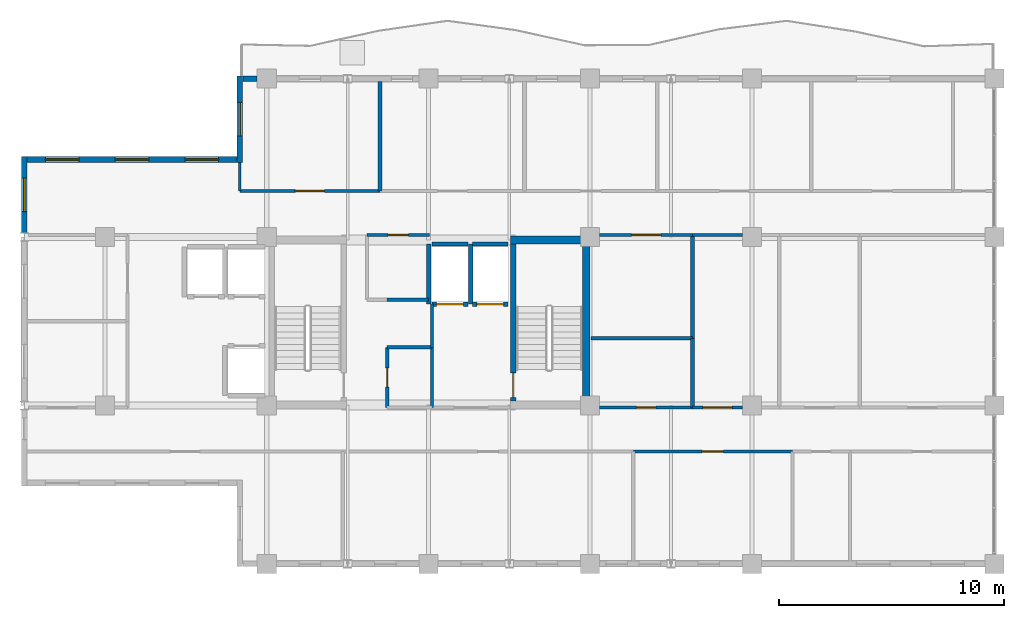
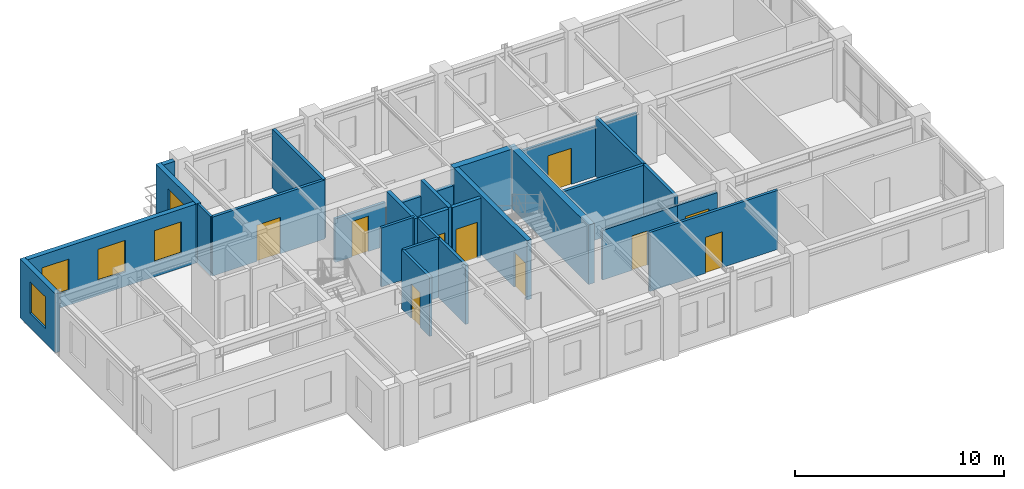
# One storey, part 7 of 10: 30 walls, 10 doors, 5 windows, 15 openings.
"""IFC4 building model written with IfcOpenShell, lengths in metres."""

from ifc_helpers import new_model, si_unit, direction, frame, frame_2d, origin, place, context, subcontext, project, spatial, rectangle, extrude, material, layer, layer_set, type_object, element, fill, save


model = new_model("IFC4")

# Units and contexts
model_context = context("Model", 3, precision=1e-05, world=origin(), true_north=direction((0.0, 1.0)))
body_context = subcontext(model_context, "Body", "Model", "MODEL_VIEW")
ifc_project = project(units=[si_unit("LENGTHUNIT", "METRE"), si_unit("AREAUNIT", "SQUARE_METRE"), si_unit("VOLUMEUNIT", "CUBIC_METRE"), si_unit("PLANEANGLEUNIT", "RADIAN"), si_unit("MASSUNIT", "GRAM", prefix="KILO")], contexts=[model_context])

# Site, building, storey
site_placement = place(None, origin())
site = spatial("IfcSite", under=ifc_project, at=site_placement, CompositionType="ELEMENT")
building_placement = place(site_placement, origin())
building = spatial("IfcBuilding", under=site, at=building_placement, Name="Kaliganga Portal Commons", CompositionType="ELEMENT")
storey_placement = place(building_placement, frame((0.0, 0.0, 290.60009765625)))
storey = spatial("IfcBuildingStorey", under=building, at=storey_placement, Name="L75", CompositionType="ELEMENT", Elevation=290.60009765625)

# Walls
ifc_material_1 = material(Name="Concrete C50/60", Category="concrete")
ifc_layer_1 = layer(ifc_material_1, 0.35009765625)
ifc_layer_set_1 = layer_set([ifc_layer_1], Name="Concrete C50/60")
wall_type_1 = type_object("IfcWallType", Name="WL-CORE-350", PredefinedType="SHEAR", material=ifc_layer_set_1)
wall_1_placement = place(storey_placement, frame((28.625, 28.5, 0.0), z_axis=(0.0, 0.0, 1.0), x_axis=(0.0, 1.0, 0.0)))
element("IfcWall", 1, at=wall_1_placement, inside=storey, type_object=wall_type_1, Name="Core A East Shear Wall L75", PredefinedType="SHEAR", context=body_context, shape_type="SweptSolid", body=[
    extrude(rectangle(XDim=7.699951171875, YDim=0.35009765625, at=frame_2d((3.85009765625, 0.0))), origin(), (0.0, 0.0, 1.0), 3.474853515625),
])
wall_2_placement = place(storey_placement, frame((25.25, 36.02490234375, 0.0), z_axis=(0.0, 0.0, 1.0), x_axis=(1.0, 0.0, 0.0)))
element("IfcWall", 2, at=wall_2_placement, inside=storey, type_object=wall_type_1, Name="Core A N-East Shear Wall L75", PredefinedType="SHEAR", context=body_context, shape_type="SweptSolid", body=[
    extrude(rectangle(XDim=3.199951171875, YDim=0.35009765625, at=frame_2d((1.60009765625, 0.0))), origin(), (0.0, 0.0, 1.0), 3.474853515625),
])
ifc_material_2 = material(Name="Insulated Aluminium-Clad Spandrel Assembly", Category="aluminium")
ifc_layer_2 = layer(ifc_material_2, 0.260009765625)
ifc_layer_set_2 = layer_set([ifc_layer_2], Name="Insulated Aluminium-Clad Spandrel Assembly")
wall_type_2 = type_object("IfcWallType", Name="WL-EXT-SPAND-260", PredefinedType="STANDARD", material=ifc_layer_set_2)
wall_3_placement = place(storey_placement, frame((13.3349609375, 43.199951171875, 0.0), z_axis=(0.0, 0.0, 1.0), x_axis=(1.0, 0.0, 0.0)))
element("IfcWall", 3, at=wall_3_placement, inside=storey, type_object=wall_type_2, Name="Exterior Envelope Wall L75 P1-E02-S8", PredefinedType="STANDARD", context=body_context, shape_type="SweptSolid", body=[
    extrude(rectangle(XDim=0.63916015625, YDim=0.260009765625, at=frame_2d((0.319580078125, 0.0))), origin(), (0.0, 0.0, 1.0), 3.454833984375),
])

# Wall, opening, window
wall_4_placement = place(storey_placement, frame((13.199951171875, 39.469970703125, 0.0), z_axis=(0.0, 0.0, 1.0), x_axis=(0.0, 1.0, 0.0)))
wall_4 = element("IfcWall", 4, at=wall_4_placement, inside=storey, type_object=wall_type_2, Name="Exterior Envelope Wall L75 P1-E03-S1", PredefinedType="STANDARD", context=body_context, shape_type="SweptSolid", body=[
    extrude(rectangle(XDim=3.860107421875, YDim=0.260009765625, at=frame_2d((1.93017578125, 0.0))), origin(), (0.0, 0.0, 1.0), 3.454833984375),
])
opening_1_placement = place(wall_4_placement, frame((1.179931640625, 0.0, 0.85009765625)))
opening_1 = element("IfcOpeningElement", 5, at=opening_1_placement, cuts=wall_4, Name="Opening W-02", PredefinedType="OPENING", context=body_context, shape_type="SweptSolid", body=[
    extrude(rectangle(XDim=1.5, YDim=1.85009765625, at=frame_2d((0.75, 0.925048828125))), frame((0.0, 0.14013671875, 0.0), z_axis=(0.0, -1.0, 0.0), x_axis=(1.0, 0.0, 0.0)), (0.0, 0.0, 1.0), 0.280029296875),
])
ifc_material_3 = material(Name="Thermally Broken Aluminium and Low-E Double Glazing", Category="aluminium")
window_type = type_object("IfcWindowType", Name="WIN-STD-1500", PartitioningType="DOUBLE_PANEL_VERTICAL", PredefinedType="WINDOW", material=ifc_material_3)
window_1_placement = place(opening_1_placement, origin())
window_1 = element("IfcWindow", 6, at=window_1_placement, inside=storey, type_object=window_type, Name="Facade Window L75-P1E03S1-00", OverallHeight=1.85009765625, OverallWidth=1.5, PartitioningType="SINGLE_PANEL", PredefinedType="WINDOW", context=body_context, shape_type="SweptSolid", body=[
    extrude(rectangle(XDim=1.5, YDim=1.85009765625, at=frame_2d((0.75, 0.925048828125))), frame((0.0, 0.030029296875, 0.0), z_axis=(0.0, -1.0, 0.0), x_axis=(1.0, 0.0, 0.0)), (0.0, 0.0, 1.0), 0.06005859375),
])
fill(opening_1, window_1)

# Wall, openings, windows
wall_5_placement = place(storey_placement, frame((3.735107421875, 39.60009765625, 0.0), z_axis=(0.0, 0.0, 1.0), x_axis=(1.0, 0.0, 0.0)))
wall_5 = element("IfcWall", 7, at=wall_5_placement, inside=storey, type_object=wall_type_2, Name="Exterior Envelope Wall L75 P1-E04-S1", PredefinedType="STANDARD", context=body_context, shape_type="SweptSolid", body=[
    extrude(rectangle(XDim=9.329833984375, YDim=0.260009765625, at=frame_2d((4.6650390625, 0.0))), origin(), (0.0, 0.0, 1.0), 3.454833984375),
])
opening_2_placement = place(wall_5_placement, frame((0.804931640625, 0.0, 0.85009765625)))
opening_2 = element("IfcOpeningElement", 8, at=opening_2_placement, cuts=wall_5, Name="Opening W-02", PredefinedType="OPENING", context=body_context, shape_type="SweptSolid", body=[
    extrude(rectangle(XDim=1.5, YDim=1.85009765625, at=frame_2d((0.75, 0.925048828125))), frame((0.0, 0.14013671875, 0.0), z_axis=(0.0, -1.0, 0.0), x_axis=(1.0, 0.0, 0.0)), (0.0, 0.0, 1.0), 0.280029296875),
])
opening_3_placement = place(wall_5_placement, frame((3.9150390625, 0.0, 0.85009765625)))
opening_3 = element("IfcOpeningElement", 9, at=opening_3_placement, cuts=wall_5, Name="Opening W-02", PredefinedType="OPENING", context=body_context, shape_type="SweptSolid", body=[
    extrude(rectangle(XDim=1.5, YDim=1.85009765625, at=frame_2d((0.75, 0.925048828125))), frame((0.0, 0.14013671875, 0.0), z_axis=(0.0, -1.0, 0.0), x_axis=(1.0, 0.0, 0.0)), (0.0, 0.0, 1.0), 0.280029296875),
])
opening_4_placement = place(wall_5_placement, frame((7.02490234375, 0.0, 0.85009765625)))
opening_4 = element("IfcOpeningElement", 10, at=opening_4_placement, cuts=wall_5, Name="Opening W-02", PredefinedType="OPENING", context=body_context, shape_type="SweptSolid", body=[
    extrude(rectangle(XDim=1.5, YDim=1.85009765625, at=frame_2d((0.75, 0.925048828125))), frame((0.0, 0.14013671875, 0.0), z_axis=(0.0, -1.0, 0.0), x_axis=(1.0, 0.0, 0.0)), (0.0, 0.0, 1.0), 0.280029296875),
])
window_2_placement = place(opening_2_placement, origin())
window_2 = element("IfcWindow", 11, at=window_2_placement, inside=storey, type_object=window_type, Name="Facade Window L75-P1E04S1-00", OverallHeight=1.85009765625, OverallWidth=1.5, PartitioningType="SINGLE_PANEL", PredefinedType="WINDOW", context=body_context, shape_type="SweptSolid", body=[
    extrude(rectangle(XDim=1.5, YDim=1.85009765625, at=frame_2d((0.75, 0.925048828125))), frame((0.0, 0.030029296875, 0.0), z_axis=(0.0, -1.0, 0.0), x_axis=(1.0, 0.0, 0.0)), (0.0, 0.0, 1.0), 0.06005859375),
])
fill(opening_2, window_2)
window_3_placement = place(opening_3_placement, origin())
window_3 = element("IfcWindow", 12, at=window_3_placement, inside=storey, type_object=window_type, Name="Facade Window L75-P1E04S1-01", OverallHeight=1.85009765625, OverallWidth=1.5, PartitioningType="SINGLE_PANEL", PredefinedType="WINDOW", context=body_context, shape_type="SweptSolid", body=[
    extrude(rectangle(XDim=1.5, YDim=1.85009765625, at=frame_2d((0.75, 0.925048828125))), frame((0.0, 0.030029296875, 0.0), z_axis=(0.0, -1.0, 0.0), x_axis=(1.0, 0.0, 0.0)), (0.0, 0.0, 1.0), 0.06005859375),
])
fill(opening_3, window_3)
window_4_placement = place(opening_4_placement, origin())
window_4 = element("IfcWindow", 13, at=window_4_placement, inside=storey, type_object=window_type, Name="Facade Window L75-P1E04S1-02", OverallHeight=1.85009765625, OverallWidth=1.5, PartitioningType="SINGLE_PANEL", PredefinedType="WINDOW", context=body_context, shape_type="SweptSolid", body=[
    extrude(rectangle(XDim=1.5, YDim=1.85009765625, at=frame_2d((0.75, 0.925048828125))), frame((0.0, 0.030029296875, 0.0), z_axis=(0.0, -1.0, 0.0), x_axis=(1.0, 0.0, 0.0)), (0.0, 0.0, 1.0), 0.06005859375),
])
fill(opening_4, window_4)

# Wall, opening, window
wall_6_placement = place(storey_placement, frame((3.60009765625, 36.3369140625, 0.0), z_axis=(0.0, 0.0, 1.0), x_axis=(0.0, 1.0, 0.0)))
wall_6 = element("IfcWall", 14, at=wall_6_placement, inside=storey, type_object=wall_type_2, Name="Exterior Envelope Wall L75 P1-E05-S1", PredefinedType="STANDARD", context=body_context, shape_type="SweptSolid", body=[
    extrude(rectangle(XDim=3.39306640625, YDim=0.260009765625, at=frame_2d((1.696533203125, 0.0))), origin(), (0.0, 0.0, 1.0), 3.454833984375),
])
opening_5_placement = place(wall_6_placement, frame((0.946533203125, 0.0, 0.85009765625)))
opening_5 = element("IfcOpeningElement", 15, at=opening_5_placement, cuts=wall_6, Name="Opening W-02", PredefinedType="OPENING", context=body_context, shape_type="SweptSolid", body=[
    extrude(rectangle(XDim=1.5, YDim=1.85009765625, at=frame_2d((0.75, 0.925048828125))), frame((0.0, 0.14013671875, 0.0), z_axis=(0.0, -1.0, 0.0), x_axis=(1.0, 0.0, 0.0)), (0.0, 0.0, 1.0), 0.280029296875),
])
window_5_placement = place(opening_5_placement, origin())
window_5 = element("IfcWindow", 16, at=window_5_placement, inside=storey, type_object=window_type, Name="Facade Window L75-P1E05S1-00", OverallHeight=1.85009765625, OverallWidth=1.5, PartitioningType="SINGLE_PANEL", PredefinedType="WINDOW", context=body_context, shape_type="SweptSolid", body=[
    extrude(rectangle(XDim=1.5, YDim=1.85009765625, at=frame_2d((0.75, 0.925048828125))), frame((0.0, 0.030029296875, 0.0), z_axis=(0.0, -1.0, 0.0), x_axis=(1.0, 0.0, 0.0)), (0.0, 0.0, 1.0), 0.06005859375),
])
fill(opening_5, window_5)

# Wall, opening, door
ifc_material_4 = material(Name="Fire-Rated Gypsum Board on Steel Stud", Category="steel")
ifc_layer_3 = layer(ifc_material_4, 0.14990234375)
ifc_layer_set_3 = layer_set([ifc_layer_3], Name="Fire-Rated Gypsum Board on Steel Stud")
wall_type_3 = type_object("IfcWallType", Name="WL-PART-CORR-150", PredefinedType="PARTITIONING", material=ifc_layer_set_3)
wall_7_placement = place(storey_placement, frame((30.719970703125, 26.60009765625, 0.0), z_axis=(0.0, 0.0, 1.0), x_axis=(1.0, 0.0, 0.0)))
wall_7 = element("IfcWall", 17, at=wall_7_placement, inside=storey, type_object=wall_type_3, Name="Interior Partition L75-003", PredefinedType="PARTITIONING", context=body_context, shape_type="SweptSolid", body=[
    extrude(rectangle(XDim=7.080078125, YDim=0.14990234375, at=frame_2d((3.5400390625, 0.0))), origin(), (0.0, 0.0, 1.0), 3.454833984375),
])
opening_6_placement = place(wall_7_placement, frame((3.06494140625, 0.0, 0.0)))
opening_6 = element("IfcOpeningElement", 18, at=opening_6_placement, cuts=wall_7, Name="Opening UD-01", PredefinedType="OPENING", context=body_context, shape_type="SweptSolid", body=[
    extrude(rectangle(XDim=0.949951171875, YDim=2.10009765625, at=frame_2d((0.47509765625, 1.050048828125))), frame((0.0, 0.0849609375, 0.0), z_axis=(0.0, -1.0, 0.0), x_axis=(1.0, 0.0, 0.0)), (0.0, 0.0, 1.0), 0.169921875),
])
ifc_material_5 = material(Name="Solid-Core Timber Acoustic Fire Door", Category="wood")
door_type_1 = type_object("IfcDoorType", Name="DR-UNIT-950", OperationType="NOTDEFINED", PredefinedType="DOOR", material=ifc_material_5)
door_1_placement = place(opening_6_placement, origin())
door_1 = element("IfcDoor", 19, at=door_1_placement, inside=storey, type_object=door_type_1, Name="Interior Door L75-AS03", OperationType="SINGLE_SWING_RIGHT", OverallHeight=2.10009765625, OverallWidth=0.949951171875, PredefinedType="DOOR", context=body_context, shape_type="SweptSolid", body=[
    extrude(rectangle(XDim=0.949951171875, YDim=2.10009765625, at=frame_2d((0.47509765625, 1.050048828125))), frame((0.0, 0.02490234375, 0.0), z_axis=(0.0, -1.0, 0.0), x_axis=(1.0, 0.0, 0.0)), (0.0, 0.0, 1.0), 0.050048828125),
])
fill(opening_6, door_1)

wall_8_placement = place(storey_placement, frame((13.199951171875, 38.199951171875, 0.0), z_axis=(0.0, 0.0, 1.0), x_axis=(1.0, 0.0, 0.0)))
wall_8 = element("IfcWall", 20, at=wall_8_placement, inside=storey, type_object=wall_type_3, Name="Interior Partition L75-008", PredefinedType="PARTITIONING", context=body_context, shape_type="SweptSolid", body=[
    extrude(rectangle(XDim=6.239990234375, YDim=0.14990234375, at=frame_2d((3.1201171875, 0.0))), origin(), (0.0, 0.0, 1.0), 3.454833984375),
])
opening_7_placement = place(wall_8_placement, frame((2.469970703125, 0.0, 0.0)))
opening_7 = element("IfcOpeningElement", 21, at=opening_7_placement, cuts=wall_8, Name="Opening RD-03", PredefinedType="OPENING", context=body_context, shape_type="SweptSolid", body=[
    extrude(rectangle(XDim=1.300048828125, YDim=2.1201171875, at=frame_2d((0.64990234375, 1.06005859375))), frame((0.0, 0.0849609375, 0.0), z_axis=(0.0, -1.0, 0.0), x_axis=(1.0, 0.0, 0.0)), (0.0, 0.0, 1.0), 0.169921875),
])
ifc_material_6 = material(Name="Glazed Timber Seminar Vision Door", Category="wood")
door_type_2 = type_object("IfcDoorType", Name="DR-STUDY-1300", OperationType="DOUBLE_DOOR_SINGLE_SWING", PredefinedType="DOOR", material=ifc_material_6)
door_2_placement = place(opening_7_placement, origin())
door_2 = element("IfcDoor", 22, at=door_2_placement, inside=storey, type_object=door_type_2, Name="Interior Door L75-AN01", OperationType="DOUBLE_DOOR_SINGLE_SWING", OverallHeight=2.1201171875, OverallWidth=1.300048828125, PredefinedType="DOOR", context=body_context, shape_type="SweptSolid", body=[
    extrude(rectangle(XDim=1.300048828125, YDim=2.1201171875, at=frame_2d((0.64990234375, 1.06005859375))), frame((0.0, 0.02490234375, 0.0), z_axis=(0.0, -1.0, 0.0), x_axis=(1.0, 0.0, 0.0)), (0.0, 0.0, 1.0), 0.050048828125),
])
fill(opening_7, door_2)

wall_9_placement = place(storey_placement, frame((29.22509765625, 28.56005859375, 0.0), z_axis=(0.0, 0.0, 1.0), x_axis=(1.0, 0.0, 0.0)))
wall_9 = element("IfcWall", 23, at=wall_9_placement, inside=storey, type_object=wall_type_3, Name="Interior Partition L75-014", PredefinedType="PARTITIONING", context=body_context, shape_type="SweptSolid", body=[
    extrude(rectangle(XDim=4.135009765625, YDim=0.14990234375, at=frame_2d((2.0673828125, 0.0))), origin(), (0.0, 0.0, 1.0), 2.90478515625),
])
opening_8_placement = place(wall_9_placement, frame((1.637451171875, 0.0, 0.0)))
opening_8 = element("IfcOpeningElement", 24, at=opening_8_placement, cuts=wall_9, Name="Opening WD-02", PredefinedType="OPENING", context=body_context, shape_type="SweptSolid", body=[
    extrude(rectangle(XDim=0.860107421875, YDim=2.02001953125, at=frame_2d((0.43017578125, 1.010009765625))), frame((0.0, 0.0849609375, 0.0), z_axis=(0.0, -1.0, 0.0), x_axis=(1.0, 0.0, 0.0)), (0.0, 0.0, 1.0), 0.169921875),
])
ifc_material_7 = material(Name="Fire-Rated Utility Closet Door", Category="wood")
door_type_3 = type_object("IfcDoorType", Name="DR-STORE-800", OperationType="NOTDEFINED", PredefinedType="DOOR", material=ifc_material_7)
door_3_placement = place(opening_8_placement, origin())
door_3 = element("IfcDoor", 25, at=door_3_placement, inside=storey, type_object=door_type_3, Name="Interior Door L75-CSRV_A1", OperationType="SINGLE_SWING_LEFT", OverallHeight=2.02001953125, OverallWidth=0.860107421875, PredefinedType="DOOR", context=body_context, shape_type="SweptSolid", body=[
    extrude(rectangle(XDim=0.860107421875, YDim=2.02001953125, at=frame_2d((0.43017578125, 1.010009765625))), frame((0.0, 0.02490234375, 0.0), z_axis=(0.0, -1.0, 0.0), x_axis=(1.0, 0.0, 0.0)), (0.0, 0.0, 1.0), 0.050048828125),
])
fill(opening_8, door_3)

wall_10_placement = place(storey_placement, frame((29.22509765625, 36.239990234375, 0.0), z_axis=(0.0, 0.0, 1.0), x_axis=(1.0, 0.0, 0.0)))
wall_10 = element("IfcWall", 26, at=wall_10_placement, inside=storey, type_object=wall_type_3, Name="Interior Partition L75-015", PredefinedType="PARTITIONING", context=body_context, shape_type="SweptSolid", body=[
    extrude(rectangle(XDim=4.135009765625, YDim=0.14990234375, at=frame_2d((2.0673828125, 0.0))), origin(), (0.0, 0.0, 1.0), 2.90478515625),
])
opening_9_placement = place(wall_10_placement, frame((1.41748046875, 0.0, 0.0)))
opening_9 = element("IfcOpeningElement", 27, at=opening_9_placement, cuts=wall_10, Name="Opening RD-03", PredefinedType="OPENING", context=body_context, shape_type="SweptSolid", body=[
    extrude(rectangle(XDim=1.300048828125, YDim=2.1201171875, at=frame_2d((0.64990234375, 1.06005859375))), frame((0.0, 0.0849609375, 0.0), z_axis=(0.0, -1.0, 0.0), x_axis=(1.0, 0.0, 0.0)), (0.0, 0.0, 1.0), 0.169921875),
])
door_4_placement = place(opening_9_placement, origin())
door_4 = element("IfcDoor", 28, at=door_4_placement, inside=storey, type_object=door_type_2, Name="Interior Door L75-CSRV_A2", OperationType="DOUBLE_DOOR_SINGLE_SWING", OverallHeight=2.1201171875, OverallWidth=1.300048828125, PredefinedType="DOOR", context=body_context, shape_type="SweptSolid", body=[
    extrude(rectangle(XDim=1.300048828125, YDim=2.1201171875, at=frame_2d((0.64990234375, 1.06005859375))), frame((0.0, 0.02490234375, 0.0), z_axis=(0.0, -1.0, 0.0), x_axis=(1.0, 0.0, 0.0)), (0.0, 0.0, 1.0), 0.050048828125),
])
fill(opening_9, door_4)

wall_11_placement = place(storey_placement, frame((33.360107421875, 28.56005859375, 0.0), z_axis=(0.0, 0.0, 1.0), x_axis=(1.0, 0.0, 0.0)))
wall_11 = element("IfcWall", 29, at=wall_11_placement, inside=storey, type_object=wall_type_3, Name="Interior Partition L75-016", PredefinedType="PARTITIONING", context=body_context, shape_type="SweptSolid", body=[
    extrude(rectangle(XDim=2.21484375, YDim=0.14990234375, at=frame_2d((1.107421875, 0.0))), origin(), (0.0, 0.0, 1.0), 2.90478515625),
])
opening_10_placement = place(wall_11_placement, frame((0.45751953125, 0.0, 0.0)))
opening_10 = element("IfcOpeningElement", 30, at=opening_10_placement, cuts=wall_11, Name="Opening RD-03", PredefinedType="OPENING", context=body_context, shape_type="SweptSolid", body=[
    extrude(rectangle(XDim=1.300048828125, YDim=2.1201171875, at=frame_2d((0.64990234375, 1.06005859375))), frame((0.0, 0.0849609375, 0.0), z_axis=(0.0, -1.0, 0.0), x_axis=(1.0, 0.0, 0.0)), (0.0, 0.0, 1.0), 0.169921875),
])
door_5_placement = place(opening_10_placement, origin())
door_5 = element("IfcDoor", 31, at=door_5_placement, inside=storey, type_object=door_type_2, Name="Interior Door L75-AE01", OperationType="DOUBLE_DOOR_SINGLE_SWING", OverallHeight=2.1201171875, OverallWidth=1.300048828125, PredefinedType="DOOR", context=body_context, shape_type="SweptSolid", body=[
    extrude(rectangle(XDim=1.300048828125, YDim=2.1201171875, at=frame_2d((0.64990234375, 1.06005859375))), frame((0.0, 0.02490234375, 0.0), z_axis=(0.0, -1.0, 0.0), x_axis=(1.0, 0.0, 0.0)), (0.0, 0.0, 1.0), 0.050048828125),
])
fill(opening_10, door_5)

# Wall
wall_12_placement = place(storey_placement, frame((33.360107421875, 36.239990234375, 0.0), z_axis=(0.0, 0.0, 1.0), x_axis=(1.0, 0.0, 0.0)))
element("IfcWall", 32, at=wall_12_placement, inside=storey, type_object=wall_type_3, Name="Interior Partition L75-018", PredefinedType="PARTITIONING", context=body_context, shape_type="SweptSolid", body=[
    extrude(rectangle(XDim=2.21484375, YDim=0.14990234375, at=frame_2d((1.107421875, 0.0))), origin(), (0.0, 0.0, 1.0), 2.90478515625),
])

# Wall, opening, door
wall_13_placement = place(storey_placement, frame((18.860107421875, 36.239990234375, 0.0), z_axis=(0.0, 0.0, 1.0), x_axis=(1.0, 0.0, 0.0)))
wall_13 = element("IfcWall", 33, at=wall_13_placement, inside=storey, type_object=wall_type_3, Name="Interior Partition L75-025", PredefinedType="PARTITIONING", context=body_context, shape_type="SweptSolid", body=[
    extrude(rectangle(XDim=2.77978515625, YDim=0.14990234375, at=frame_2d((1.389892578125, 0.0))), origin(), (0.0, 0.0, 1.0), 2.554931640625),
])
opening_11_placement = place(wall_13_placement, frame((0.93994140625, 0.0, 0.0)))
opening_11 = element("IfcOpeningElement", 34, at=opening_11_placement, cuts=wall_13, Name="Opening RD-01", PredefinedType="OPENING", context=body_context, shape_type="SweptSolid", body=[
    extrude(rectangle(XDim=0.89990234375, YDim=2.080078125, at=frame_2d((0.449951171875, 1.0400390625))), frame((0.0, 0.0849609375, 0.0), z_axis=(0.0, -1.0, 0.0), x_axis=(1.0, 0.0, 0.0)), (0.0, 0.0, 1.0), 0.169921875),
])
ifc_material_8 = material(Name="Engineered Timber Flush Door", Category="wood")
door_type_4 = type_object("IfcDoorType", Name="DR-ROOM-900", OperationType="NOTDEFINED", PredefinedType="DOOR", material=ifc_material_8)
door_6_placement = place(opening_11_placement, origin())
door_6 = element("IfcDoor", 35, at=door_6_placement, inside=storey, type_object=door_type_4, Name="Interior Door L75-CREC_A1", OperationType="SINGLE_SWING_RIGHT", OverallHeight=2.080078125, OverallWidth=0.89990234375, PredefinedType="DOOR", context=body_context, shape_type="SweptSolid", body=[
    extrude(rectangle(XDim=0.89990234375, YDim=2.080078125, at=frame_2d((0.449951171875, 1.0400390625))), frame((0.0, 0.02490234375, 0.0), z_axis=(0.0, -1.0, 0.0), x_axis=(1.0, 0.0, 0.0)), (0.0, 0.0, 1.0), 0.050048828125),
])
fill(opening_11, door_6)

wall_14_placement = place(storey_placement, frame((19.760009765625, 28.56005859375, 0.0), z_axis=(0.0, 0.0, 1.0), x_axis=(0.0, 1.0, 0.0)))
wall_14 = element("IfcWall", 36, at=wall_14_placement, inside=storey, type_object=wall_type_3, Name="Interior Partition L75-026", PredefinedType="PARTITIONING", context=body_context, shape_type="SweptSolid", body=[
    extrude(rectangle(XDim=2.679931640625, YDim=0.14990234375, at=frame_2d((1.33984375, 0.0))), origin(), (0.0, 0.0, 1.0), 3.454833984375),
])
opening_12_placement = place(wall_14_placement, frame((0.909912109375, 0.0, 0.0)))
opening_12 = element("IfcOpeningElement", 37, at=opening_12_placement, cuts=wall_14, Name="Opening WD-02", PredefinedType="OPENING", context=body_context, shape_type="SweptSolid", body=[
    extrude(rectangle(XDim=0.860107421875, YDim=2.02001953125, at=frame_2d((0.43017578125, 1.010009765625))), frame((0.0, 0.0849609375, 0.0), z_axis=(0.0, -1.0, 0.0), x_axis=(1.0, 0.0, 0.0)), (0.0, 0.0, 1.0), 0.169921875),
])
door_7_placement = place(opening_12_placement, origin())
door_7 = element("IfcDoor", 38, at=door_7_placement, inside=storey, type_object=door_type_3, Name="Interior Door L75-CIN_A1", OperationType="SINGLE_SWING_LEFT", OverallHeight=2.02001953125, OverallWidth=0.860107421875, PredefinedType="DOOR", context=body_context, shape_type="SweptSolid", body=[
    extrude(rectangle(XDim=0.860107421875, YDim=2.02001953125, at=frame_2d((0.43017578125, 1.010009765625))), frame((0.0, 0.02490234375, 0.0), z_axis=(0.0, -1.0, 0.0), x_axis=(1.0, 0.0, 0.0)), (0.0, 0.0, 1.0), 0.050048828125),
])
fill(opening_12, door_7)

# Walls
wall_15_placement = place(storey_placement, frame((21.760009765625, 28.56005859375, 0.0), z_axis=(0.0, 0.0, 1.0), x_axis=(0.0, 1.0, 0.0)))
element("IfcWall", 39, at=wall_15_placement, inside=storey, type_object=wall_type_3, Name="Interior Partition L75-027", PredefinedType="PARTITIONING", context=body_context, shape_type="SweptSolid", body=[
    extrude(rectangle(XDim=2.679931640625, YDim=0.14990234375, at=frame_2d((1.33984375, 0.0))), origin(), (0.0, 0.0, 1.0), 3.454833984375),
])
wall_16_placement = place(storey_placement, frame((19.760009765625, 31.239990234375, 0.0), z_axis=(0.0, 0.0, 1.0), x_axis=(1.0, 0.0, 0.0)))
element("IfcWall", 40, at=wall_16_placement, inside=storey, type_object=wall_type_3, Name="Interior Partition L75-030", PredefinedType="PARTITIONING", context=body_context, shape_type="SweptSolid", body=[
    extrude(rectangle(XDim=2.0, YDim=0.14990234375, at=frame_2d((1.0, 0.0))), origin(), (0.0, 0.0, 1.0), 3.454833984375),
])
wall_17_placement = place(storey_placement, frame((19.760009765625, 33.360107421875, 0.0), z_axis=(0.0, 0.0, 1.0), x_axis=(1.0, 0.0, 0.0)))
element("IfcWall", 41, at=wall_17_placement, inside=storey, type_object=wall_type_3, Name="Interior Partition L75-031", PredefinedType="PARTITIONING", context=body_context, shape_type="SweptSolid", body=[
    extrude(rectangle(XDim=1.85009765625, YDim=0.14990234375, at=frame_2d((0.925048828125, 0.0))), origin(), (0.0, 0.0, 1.0), 3.454833984375),
])
wall_18_placement = place(storey_placement, frame((21.760009765625, 31.239990234375, 0.0), z_axis=(0.0, 0.0, 1.0), x_axis=(0.0, 1.0, 0.0)))
element("IfcWall", 42, at=wall_18_placement, inside=storey, type_object=wall_type_3, Name="Interior Partition L75-053", PredefinedType="PARTITIONING", context=body_context, shape_type="SweptSolid", body=[
    extrude(rectangle(XDim=1.919921875, YDim=0.14990234375, at=frame_2d((0.9599609375, 0.0))), origin(), (0.0, 0.0, 1.0), 3.454833984375),
])
ifc_material_9 = material(Name="Moisture-Resistant Gypsum Partition", Category="gypsum")
ifc_layer_4 = layer(ifc_material_9, 0.114990234375)
ifc_layer_set_4 = layer_set([ifc_layer_4], Name="Moisture-Resistant Gypsum Partition")
wall_type_4 = type_object("IfcWallType", Name="WL-PART-ROOM-115", PredefinedType="PARTITIONING", material=ifc_layer_set_4)
wall_19_placement = place(storey_placement, frame((13.199951171875, 38.199951171875, 0.0), z_axis=(0.0, 0.0, 1.0), x_axis=(0.0, 1.0, 0.0)))
element("IfcWall", 43, at=wall_19_placement, inside=storey, type_object=wall_type_4, Name="Interior Partition L75-036", PredefinedType="PARTITIONING", context=body_context, shape_type="SweptSolid", body=[
    extrude(rectangle(XDim=1.26806640625, YDim=0.114990234375, at=frame_2d((0.634033203125, 0.0))), origin(), (0.0, 0.0, 1.0), 3.454833984375),
])
ifc_material_10 = material(Name="Twin-Stud Acoustic Gypsum Partition", Category="gypsum")
ifc_layer_5 = layer(ifc_material_10, 0.1650390625)
ifc_layer_set_5 = layer_set([ifc_layer_5], Name="Twin-Stud Acoustic Gypsum Partition")
wall_type_5 = type_object("IfcWallType", Name="WL-PART-UNIT-165", PredefinedType="PARTITIONING", material=ifc_layer_set_5)
wall_20_placement = place(storey_placement, frame((19.43994140625, 38.199951171875, 0.0), z_axis=(0.0, 0.0, 1.0), x_axis=(0.0, 1.0, 0.0)))
element("IfcWall", 44, at=wall_20_placement, inside=storey, type_object=wall_type_5, Name="Interior Partition L75-038", PredefinedType="PARTITIONING", context=body_context, shape_type="SweptSolid", body=[
    extrude(rectangle(XDim=4.8681640625, YDim=0.1650390625, at=frame_2d((2.43408203125, 0.0))), origin(), (0.0, 0.0, 1.0), 3.454833984375),
])
wall_21_placement = place(storey_placement, frame((33.360107421875, 31.639892578125, 0.0), z_axis=(0.0, 0.0, 1.0), x_axis=(0.0, 1.0, 0.0)))
element("IfcWall", 45, at=wall_21_placement, inside=storey, type_object=wall_type_5, Name="Interior Partition L75-046", PredefinedType="PARTITIONING", context=body_context, shape_type="SweptSolid", body=[
    extrude(rectangle(XDim=4.60009765625, YDim=0.1650390625, at=frame_2d((2.300048828125, 0.0))), origin(), (0.0, 0.0, 1.0), 3.454833984375),
])
wall_22_placement = place(storey_placement, frame((28.840087890625, 31.639892578125, 0.0), z_axis=(0.0, 0.0, 1.0), x_axis=(1.0, 0.0, 0.0)))
element("IfcWall", 46, at=wall_22_placement, inside=storey, type_object=wall_type_5, Name="Interior Partition L75-050", PredefinedType="PARTITIONING", context=body_context, shape_type="SweptSolid", body=[
    extrude(rectangle(XDim=4.52001953125, YDim=0.1650390625, at=frame_2d((2.260009765625, 0.0))), origin(), (0.0, 0.0, 1.0), 3.454833984375),
])
wall_23_placement = place(storey_placement, frame((33.360107421875, 28.56005859375, 0.0), z_axis=(0.0, 0.0, 1.0), x_axis=(0.0, 1.0, 0.0)))
element("IfcWall", 47, at=wall_23_placement, inside=storey, type_object=wall_type_5, Name="Interior Partition L75-052", PredefinedType="PARTITIONING", context=body_context, shape_type="SweptSolid", body=[
    extrude(rectangle(XDim=3.079833984375, YDim=0.1650390625, at=frame_2d((1.5400390625, 0.0))), origin(), (0.0, 0.0, 1.0), 3.454833984375),
])

# Wall, opening, door
ifc_material_11 = material(Name="Fire-Rated Shaftwall Masonry Assembly", Category="masonry")
ifc_layer_6 = layer(ifc_material_11, 0.199951171875)
ifc_layer_set_6 = layer_set([ifc_layer_6], Name="Fire-Rated Shaftwall Masonry Assembly")
wall_type_6 = type_object("IfcWallType", Name="WL-SHAFT-200", PredefinedType="PARTITIONING", material=ifc_layer_set_6)
wall_24_placement = place(storey_placement, frame((21.75, 33.159912109375, 0.0), z_axis=(0.0, 0.0, 1.0), x_axis=(1.0, 0.0, 0.0)))
wall_24 = element("IfcWall", 48, at=wall_24_placement, inside=storey, type_object=wall_type_6, Name="Lift FFL-1 Hoistway Shaft Wall L75-S", PredefinedType="PARTITIONING", context=body_context, shape_type="SweptSolid", body=[
    extrude(rectangle(XDim=1.60009765625, YDim=0.199951171875, at=frame_2d((0.800048828125, 0.0))), origin(), (0.0, 0.0, 1.0), 3.454833984375),
])
opening_13_placement = place(wall_24_placement, frame((0.199951171875, 0.0, 0.0)))
opening_13 = element("IfcOpeningElement", 49, at=opening_13_placement, cuts=wall_24, Name="Opening LD-02", PredefinedType="OPENING", context=body_context, shape_type="SweptSolid", body=[
    extrude(rectangle(XDim=1.199951171875, YDim=2.1201171875, at=frame_2d((0.60009765625, 1.06005859375))), frame((0.0, 0.10986328125, 0.0), z_axis=(0.0, -1.0, 0.0), x_axis=(1.0, 0.0, 0.0)), (0.0, 0.0, 1.0), 0.219970703125),
])
ifc_material_12 = material(Name="Brushed Stainless Steel 316 Stretcher Lift Landing Door", Category="steel")
door_type_5 = type_object("IfcDoorType", Name="DR-LIFT-1200", OperationType="SLIDING_TO_RIGHT", PredefinedType="DOOR", material=ifc_material_12)
door_8_placement = place(opening_13_placement, origin())
door_8 = element("IfcDoor", 50, at=door_8_placement, inside=storey, type_object=door_type_5, Name="Lift FFL-1 Sliding Landing Door L75", OperationType="SLIDING_TO_RIGHT", OverallHeight=2.1201171875, OverallWidth=1.199951171875, PredefinedType="DOOR", context=body_context, shape_type="SweptSolid", body=[
    extrude(rectangle(XDim=1.199951171875, YDim=2.1201171875, at=frame_2d((0.60009765625, 1.06005859375))), frame((0.0, 0.02490234375, 0.0), z_axis=(0.0, -1.0, 0.0), x_axis=(1.0, 0.0, 0.0)), (0.0, 0.0, 1.0), 0.050048828125),
])
fill(opening_13, door_8)

# Walls
wall_25_placement = place(storey_placement, frame((21.75, 35.840087890625, 0.0), z_axis=(0.0, 0.0, 1.0), x_axis=(1.0, 0.0, 0.0)))
element("IfcWall", 51, at=wall_25_placement, inside=storey, type_object=wall_type_6, Name="Lift FFL-1 Hoistway Shaft Wall L75-N", PredefinedType="PARTITIONING", context=body_context, shape_type="SweptSolid", body=[
    extrude(rectangle(XDim=1.60009765625, YDim=0.199951171875, at=frame_2d((0.800048828125, 0.0))), origin(), (0.0, 0.0, 1.0), 2.554931640625),
])
for number, where, z_axis, x_axis, name in (
    (52, (21.610107421875, 33.159912109375, 0.0), (0.0, 0.0, 1.0), (0.0, 1.0, 0.0), "Lift FFL-1 Hoistway Shaft Wall L75-W"),
    (53, (23.489990234375, 33.159912109375, 0.0), (0.0, 0.0, 1.0), (0.0, 1.0, 0.0), "Lift FFL-1 Hoistway Shaft Wall L75-E"),
):
    element("IfcWall", number, at=place(storey_placement, frame(where, z_axis=z_axis, x_axis=x_axis)), inside=storey, type_object=wall_type_6, Name=name, PredefinedType="PARTITIONING", context=body_context, shape_type="SweptSolid", body=[
        extrude(rectangle(XDim=2.68017578125, YDim=0.199951171875, at=frame_2d((1.340087890625, 0.0))), origin(), (0.0, 0.0, 1.0), 3.454833984375),
    ])

# Wall, opening, door
wall_26_placement = place(storey_placement, frame((23.550048828125, 33.159912109375, 0.0), z_axis=(0.0, 0.0, 1.0), x_axis=(1.0, 0.0, 0.0)))
wall_26 = element("IfcWall", 54, at=wall_26_placement, inside=storey, type_object=wall_type_6, Name="Lift FFL-2 Hoistway Shaft Wall L75-S", PredefinedType="PARTITIONING", context=body_context, shape_type="SweptSolid", body=[
    extrude(rectangle(XDim=1.599853515625, YDim=0.199951171875, at=frame_2d((0.7998046875, 0.0))), origin(), (0.0, 0.0, 1.0), 3.454833984375),
])
opening_14_placement = place(wall_26_placement, frame((0.199951171875, 0.0, 0.0)))
opening_14 = element("IfcOpeningElement", 55, at=opening_14_placement, cuts=wall_26, Name="Opening LD-02", PredefinedType="OPENING", context=body_context, shape_type="SweptSolid", body=[
    extrude(rectangle(XDim=1.199951171875, YDim=2.1201171875, at=frame_2d((0.60009765625, 1.06005859375))), frame((0.0, 0.10986328125, 0.0), z_axis=(0.0, -1.0, 0.0), x_axis=(1.0, 0.0, 0.0)), (0.0, 0.0, 1.0), 0.219970703125),
])
door_9_placement = place(opening_14_placement, origin())
door_9 = element("IfcDoor", 56, at=door_9_placement, inside=storey, type_object=door_type_5, Name="Lift FFL-2 Sliding Landing Door L75", OperationType="SLIDING_TO_RIGHT", OverallHeight=2.1201171875, OverallWidth=1.199951171875, PredefinedType="DOOR", context=body_context, shape_type="SweptSolid", body=[
    extrude(rectangle(XDim=1.199951171875, YDim=2.1201171875, at=frame_2d((0.60009765625, 1.06005859375))), frame((0.0, 0.02490234375, 0.0), z_axis=(0.0, -1.0, 0.0), x_axis=(1.0, 0.0, 0.0)), (0.0, 0.0, 1.0), 0.050048828125),
])
fill(opening_14, door_9)

# Wall
wall_27_placement = place(storey_placement, frame((23.550048828125, 35.840087890625, 0.0), z_axis=(0.0, 0.0, 1.0), x_axis=(1.0, 0.0, 0.0)))
element("IfcWall", 57, at=wall_27_placement, inside=storey, type_object=wall_type_6, Name="Lift FFL-2 Hoistway Shaft Wall L75-N", PredefinedType="PARTITIONING", context=body_context, shape_type="SweptSolid", body=[
    extrude(rectangle(XDim=1.599853515625, YDim=0.199951171875, at=frame_2d((0.7998046875, 0.0))), origin(), (0.0, 0.0, 1.0), 2.554931640625),
])

# Wall, opening, door
ifc_layer_7 = layer(ifc_material_1, 0.25)
ifc_layer_set_7 = layer_set([ifc_layer_7], Name="Concrete C50/60")
wall_type_7 = type_object("IfcWallType", Name="WL-STAIR-250", PredefinedType="SHEAR", material=ifc_layer_set_7)
wall_28_placement = place(storey_placement, frame((25.375, 28.85009765625, 0.0), z_axis=(0.0, 0.0, 1.0), x_axis=(0.0, 1.0, 0.0)))
wall_28 = element("IfcWall", 58, at=wall_28_placement, inside=storey, type_object=wall_type_7, Name="Stair A2 Enclosure Shear Wall L75", PredefinedType="SHEAR", context=body_context, shape_type="SweptSolid", body=[
    extrude(rectangle(XDim=7.0, YDim=0.25, at=frame_2d((3.5, 0.0))), origin(), (0.0, 0.0, 1.0), 3.474853515625),
])
opening_15_placement = place(wall_28_placement, frame((0.14990234375, 0.0, 0.0)))
opening_15 = element("IfcOpeningElement", 59, at=opening_15_placement, cuts=wall_28, Name="Opening SD-01", PredefinedType="OPENING", context=body_context, shape_type="SweptSolid", body=[
    extrude(rectangle(XDim=1.10009765625, YDim=2.080078125, at=frame_2d((0.550048828125, 1.0400390625))), frame((0.0, 0.135009765625, 0.0), z_axis=(0.0, -1.0, 0.0), x_axis=(1.0, 0.0, 0.0)), (0.0, 0.0, 1.0), 0.27001953125),
])
ifc_material_13 = material(Name="Galvanized Steel Fire Door Leaf and Frame", Category="steel")
door_type_6 = type_object("IfcDoorType", Name="DR-STAIR-1100", OperationType="NOTDEFINED", PredefinedType="DOOR", material=ifc_material_13)
door_10_placement = place(opening_15_placement, origin())
door_10 = element("IfcDoor", 60, at=door_10_placement, inside=storey, type_object=door_type_6, Name="Protected Stair ST-A2 Fire Door L75", OperationType="SINGLE_SWING_RIGHT", OverallHeight=2.080078125, OverallWidth=1.10009765625, PredefinedType="DOOR", context=body_context, shape_type="SweptSolid", body=[
    extrude(rectangle(XDim=1.10009765625, YDim=2.080078125, at=frame_2d((0.550048828125, 1.0400390625))), frame((0.0, 0.02490234375, 0.0), z_axis=(0.0, -1.0, 0.0), x_axis=(1.0, 0.0, 0.0)), (0.0, 0.0, 1.0), 0.050048828125),
])
fill(opening_15, door_10)

save(model, "model.ifc")
